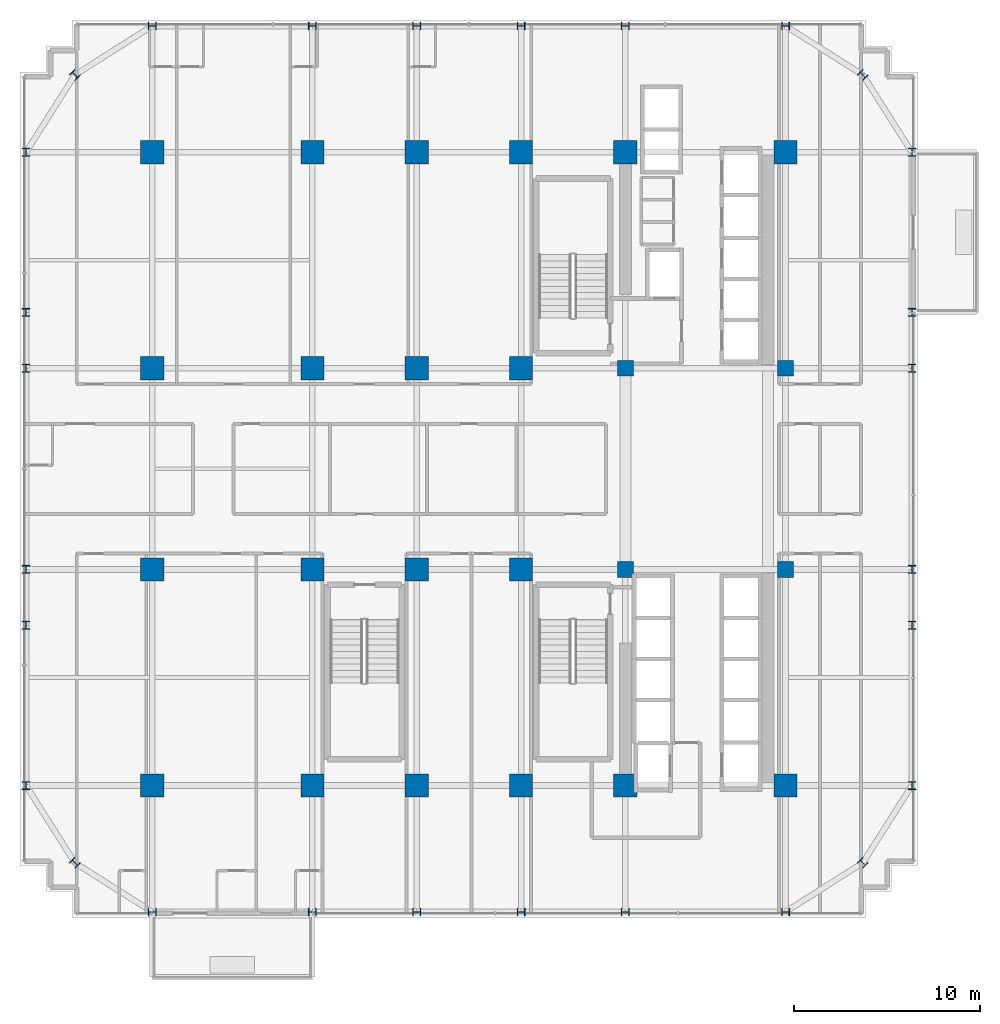
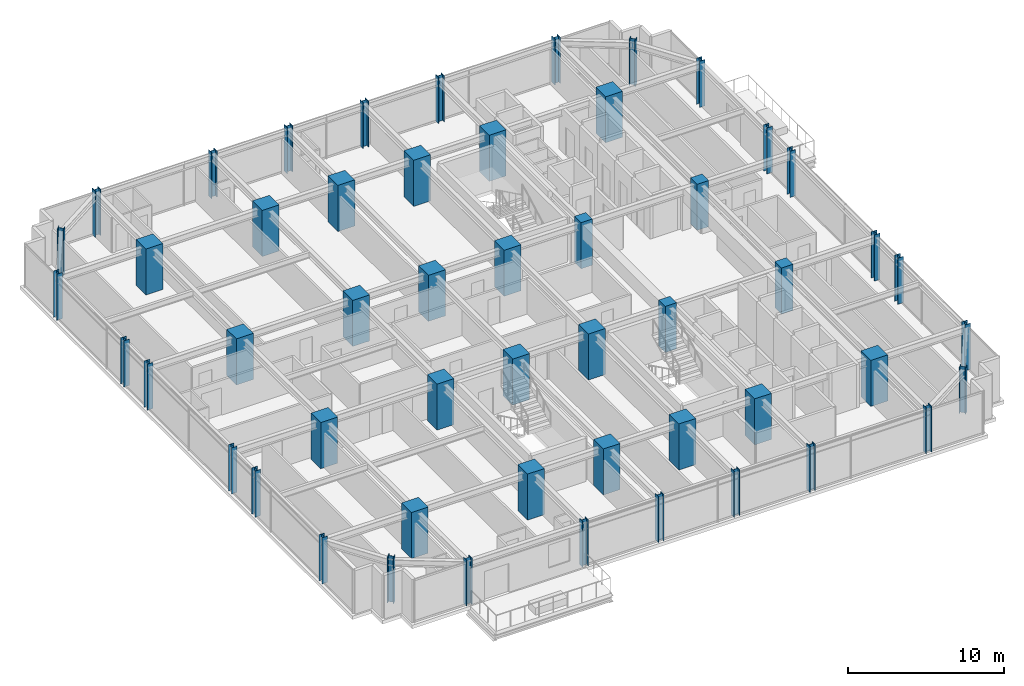
# One storey, part 1 of 33: 52 columns.
"""IFC4 building model written with IfcOpenShell, lengths in metres."""

from ifc_helpers import new_model, si_unit, direction, frame, origin, origin_2d, place, context, subcontext, project, spatial, rectangle, i_section, extrude, source, transform, mapped, material, material_profile, profile_set, type_object, element, save


model = new_model("IFC4")

# Units and contexts
model_context = context("Model", 3, precision=1e-05, world=origin(), true_north=direction((0.0, 1.0)))
body_context = subcontext(model_context, "Body", "Model", "MODEL_VIEW")
ifc_project = project(units=[si_unit("LENGTHUNIT", "METRE"), si_unit("AREAUNIT", "SQUARE_METRE"), si_unit("VOLUMEUNIT", "CUBIC_METRE"), si_unit("PLANEANGLEUNIT", "RADIAN"), si_unit("MASSUNIT", "GRAM", prefix="KILO")], contexts=[model_context])

# Site, building, storey
site_placement = place(None, origin())
site = spatial("IfcSite", under=ifc_project, at=site_placement, CompositionType="ELEMENT")
building_placement = place(site_placement, origin())
building = spatial("IfcBuilding", under=site, at=building_placement, Name="Nahalor Promenade Grand Hotel", CompositionType="ELEMENT")
storey_placement = place(building_placement, frame((0.0, 0.0, 132.10009765625)))
storey = spatial("IfcBuildingStorey", under=building, at=storey_placement, Name="L33", CompositionType="ELEMENT", Elevation=132.10009765625)

# Columns
ifc_material_1 = material(Name="Concrete B-70 (C60/75)", Category="concrete")
ifc_material_profile_1 = material_profile(ifc_material_1, rectangle(XDim=0.85, YDim=0.85, at=origin_2d()), Name="RC 850x850")
ifc_profile_set_1 = profile_set([ifc_material_profile_1], Name="Concrete B-70 (C60/75)")
column_type_1 = type_object("IfcColumnType", Name="Col-Pilaster-850", PredefinedType="PILASTER", material=ifc_profile_set_1)
shared_shape_1 = source(origin(), body_context, "Body", "SweptSolid", [
    extrude(rectangle(XDim=0.85, YDim=0.85, at=origin_2d()), origin(), (0.0, 0.0, 1.0), 3.60498046875),
])
for number, where, z_axis, x_axis, name in (
    (1, (8.39990234375, -5.39990234375, 0.0), (0.0, 0.0, 1.0), (1.0, 0.0, 0.0), "COL-L33-I41"),
    (2, (8.39990234375, 5.39990234375, 0.0), (0.0, 0.0, 1.0), (1.0, 0.0, 0.0), "COL-L33-I42"),
    (3, (17.0, -5.39990234375, 0.0), (0.0, 0.0, 1.0), (1.0, 0.0, 0.0), "COL-L33-I51"),
    (4, (17.0, 5.39990234375, 0.0), (0.0, 0.0, 1.0), (1.0, 0.0, 0.0), "COL-L33-I52"),
):
    element("IfcColumn", number, at=place(storey_placement, frame(where, z_axis=z_axis, x_axis=x_axis)), inside=storey, type_object=column_type_1, Name=name, PredefinedType="PILASTER", context=body_context, shape_type="MappedRepresentation", body=[
        mapped(shared_shape_1, transform((0.0, 0.0, 0.0), scale=1.0)),
    ])
ifc_material_2 = material(Name="Concrete B-60 (C50/60)", Category="concrete")
ifc_material_profile_2 = material_profile(ifc_material_2, rectangle(XDim=1.25, YDim=1.25, at=origin_2d()), Name="RC 1250x1250")
ifc_profile_set_2 = profile_set([ifc_material_profile_2], Name="Concrete B-60 (C50/60)")
column_type_2 = type_object("IfcColumnType", Name="Col-RC-1250", PredefinedType="COLUMN", material=ifc_profile_set_2)
shared_shape_2 = source(origin(), body_context, "Body", "SweptSolid", [
    extrude(rectangle(XDim=1.25, YDim=1.25, at=origin_2d()), origin(), (0.0, 0.0, 1.0), 3.60498046875),
])
for number, where, z_axis, x_axis, name in (
    (5, (-17.0, -17.0, 0.0), (0.0, 0.0, 1.0), (1.0, 0.0, 0.0), "COL-L33-I00"),
    (6, (-17.0, -5.39990234375, 0.0), (0.0, 0.0, 1.0), (1.0, 0.0, 0.0), "COL-L33-I01"),
    (7, (-17.0, 5.39990234375, 0.0), (0.0, 0.0, 1.0), (1.0, 0.0, 0.0), "COL-L33-I02"),
    (8, (-17.0, 17.0, 0.0), (0.0, 0.0, 1.0), (1.0, 0.0, 0.0), "COL-L33-I03"),
    (9, (-8.39990234375, -17.0, 0.0), (0.0, 0.0, 1.0), (1.0, 0.0, 0.0), "COL-L33-I10"),
    (10, (-8.39990234375, -5.39990234375, 0.0), (0.0, 0.0, 1.0), (1.0, 0.0, 0.0), "COL-L33-I11"),
    (11, (-8.39990234375, 5.39990234375, 0.0), (0.0, 0.0, 1.0), (1.0, 0.0, 0.0), "COL-L33-I12"),
    (12, (-8.39990234375, 17.0, 0.0), (0.0, 0.0, 1.0), (1.0, 0.0, 0.0), "COL-L33-I13"),
    (13, (-2.800048828125, -17.0, 0.0), (0.0, 0.0, 1.0), (1.0, 0.0, 0.0), "COL-L33-I20"),
    (14, (-2.800048828125, -5.39990234375, 0.0), (0.0, 0.0, 1.0), (1.0, 0.0, 0.0), "COL-L33-I21"),
    (15, (-2.800048828125, 5.39990234375, 0.0), (0.0, 0.0, 1.0), (1.0, 0.0, 0.0), "COL-L33-I22"),
    (16, (-2.800048828125, 17.0, 0.0), (0.0, 0.0, 1.0), (1.0, 0.0, 0.0), "COL-L33-I23"),
    (17, (2.800048828125, -17.0, 0.0), (0.0, 0.0, 1.0), (1.0, 0.0, 0.0), "COL-L33-I30"),
    (18, (2.800048828125, -5.39990234375, 0.0), (0.0, 0.0, 1.0), (1.0, 0.0, 0.0), "COL-L33-I31"),
    (19, (2.800048828125, 5.39990234375, 0.0), (0.0, 0.0, 1.0), (1.0, 0.0, 0.0), "COL-L33-I32"),
    (20, (2.800048828125, 17.0, 0.0), (0.0, 0.0, 1.0), (1.0, 0.0, 0.0), "COL-L33-I33"),
    (21, (8.39990234375, -17.0, 0.0), (0.0, 0.0, 1.0), (1.0, 0.0, 0.0), "COL-L33-I40"),
    (22, (8.39990234375, 17.0, 0.0), (0.0, 0.0, 1.0), (1.0, 0.0, 0.0), "COL-L33-I43"),
    (23, (17.0, -17.0, 0.0), (0.0, 0.0, 1.0), (1.0, 0.0, 0.0), "COL-L33-I50"),
    (24, (17.0, 17.0, 0.0), (0.0, 0.0, 1.0), (1.0, 0.0, 0.0), "COL-L33-I53"),
):
    element("IfcColumn", number, at=place(storey_placement, frame(where, z_axis=z_axis, x_axis=x_axis)), inside=storey, type_object=column_type_2, Name=name, PredefinedType="COLUMN", context=body_context, shape_type="MappedRepresentation", body=[
        mapped(shared_shape_2, transform((0.0, 0.0, 0.0), scale=1.0)),
    ])
ifc_material_3 = material(Name="Steel S355J2", Category="steel")
ifc_material_profile_3 = material_profile(ifc_material_3, i_section(OverallWidth=0.409, OverallDepth=0.43, WebThickness=0.0208, FlangeThickness=0.0335, at=origin_2d()), Name="HD 400x421")
ifc_profile_set_3 = profile_set([ifc_material_profile_3], Name="Steel S355J2")
column_type_3 = type_object("IfcColumnType", Name="Col-Steel-HD421", PredefinedType="COLUMN", material=ifc_profile_set_3)
shared_shape_3 = source(origin(), body_context, "Body", "SweptSolid", [
    extrude(i_section(OverallWidth=0.409, OverallDepth=0.43, WebThickness=0.0208, FlangeThickness=0.0335, at=origin_2d()), origin(), (0.0, 0.0, 1.0), 3.60498046875),
])
for number, where, z_axis, x_axis, name in (
    (25, (-23.780029296875, -17.0, 0.0), (0.0, 0.0, 1.0), (1.0, 0.0, 0.0), "COL-L33-PW-W0"),
    (26, (23.780029296875, -17.0, 0.0), (0.0, 0.0, 1.0), (1.0, 0.0, 0.0), "COL-L33-PW-E0"),
    (27, (-23.780029296875, -8.39990234375, 0.0), (0.0, 0.0, 1.0), (1.0, 0.0, 0.0), "COL-L33-PW-W1"),
    (28, (23.780029296875, -8.39990234375, 0.0), (0.0, 0.0, 1.0), (1.0, 0.0, 0.0), "COL-L33-PW-E1"),
    (29, (-23.780029296875, -5.39990234375, 0.0), (0.0, 0.0, 1.0), (1.0, 0.0, 0.0), "COL-L33-PW-W2"),
    (30, (23.780029296875, -5.39990234375, 0.0), (0.0, 0.0, 1.0), (1.0, 0.0, 0.0), "COL-L33-PW-E2"),
    (31, (-23.780029296875, 5.39990234375, 0.0), (0.0, 0.0, 1.0), (1.0, 0.0, 0.0), "COL-L33-PW-W3"),
    (32, (23.780029296875, 5.39990234375, 0.0), (0.0, 0.0, 1.0), (1.0, 0.0, 0.0), "COL-L33-PW-E3"),
    (33, (-23.780029296875, 8.39990234375, 0.0), (0.0, 0.0, 1.0), (1.0, 0.0, 0.0), "COL-L33-PW-W4"),
    (34, (23.780029296875, 8.39990234375, 0.0), (0.0, 0.0, 1.0), (1.0, 0.0, 0.0), "COL-L33-PW-E4"),
    (35, (-23.780029296875, 17.0, 0.0), (0.0, 0.0, 1.0), (1.0, 0.0, 0.0), "COL-L33-PW-W5"),
    (36, (23.780029296875, 17.0, 0.0), (0.0, 0.0, 1.0), (1.0, 0.0, 0.0), "COL-L33-PW-E5"),
    (37, (-17.0, -23.780029296875, 0.0), (0.0, 0.0, 1.0), (0.0, 1.0, 0.0), "COL-L33-PN-S0"),
    (38, (-17.0, 23.780029296875, 0.0), (0.0, 0.0, 1.0), (0.0, 1.0, 0.0), "COL-L33-PN-N0"),
    (39, (-8.39990234375, -23.780029296875, 0.0), (0.0, 0.0, 1.0), (0.0, 1.0, 0.0), "COL-L33-PN-S1"),
    (40, (-8.39990234375, 23.780029296875, 0.0), (0.0, 0.0, 1.0), (0.0, 1.0, 0.0), "COL-L33-PN-N1"),
    (41, (-2.800048828125, -23.780029296875, 0.0), (0.0, 0.0, 1.0), (0.0, 1.0, 0.0), "COL-L33-PN-S2"),
    (42, (-2.800048828125, 23.780029296875, 0.0), (0.0, 0.0, 1.0), (0.0, 1.0, 0.0), "COL-L33-PN-N2"),
    (43, (2.800048828125, -23.780029296875, 0.0), (0.0, 0.0, 1.0), (0.0, 1.0, 0.0), "COL-L33-PN-S3"),
    (44, (2.800048828125, 23.780029296875, 0.0), (0.0, 0.0, 1.0), (0.0, 1.0, 0.0), "COL-L33-PN-N3"),
    (45, (8.39990234375, -23.780029296875, 0.0), (0.0, 0.0, 1.0), (0.0, 1.0, 0.0), "COL-L33-PN-S4"),
    (46, (8.39990234375, 23.780029296875, 0.0), (0.0, 0.0, 1.0), (0.0, 1.0, 0.0), "COL-L33-PN-N4"),
    (47, (17.0, -23.780029296875, 0.0), (0.0, 0.0, 1.0), (0.0, 1.0, 0.0), "COL-L33-PN-S5"),
    (48, (17.0, 23.780029296875, 0.0), (0.0, 0.0, 1.0), (0.0, 1.0, 0.0), "COL-L33-PN-N5"),
    (49, (-21.14990234375, -21.14990234375, 0.0), (0.0, 0.0, 1.0), (0.707106781187, 0.707106781187, 0.0), "COL-L33-CRN-SW"),
    (50, (-21.14990234375, 21.14990234375, 0.0), (0.0, 0.0, 1.0), (0.707106781187, 0.707106781187, 0.0), "COL-L33-CRN-NW"),
    (51, (21.14990234375, -21.14990234375, 0.0), (0.0, 0.0, 1.0), (0.707106781187, 0.707106781187, 0.0), "COL-L33-CRN-SE"),
    (52, (21.14990234375, 21.14990234375, 0.0), (0.0, 0.0, 1.0), (0.707106781187, 0.707106781187, 0.0), "COL-L33-CRN-NE"),
):
    element("IfcColumn", number, at=place(storey_placement, frame(where, z_axis=z_axis, x_axis=x_axis)), inside=storey, type_object=column_type_3, Name=name, PredefinedType="COLUMN", context=body_context, shape_type="MappedRepresentation", body=[
        mapped(shared_shape_3, transform((0.0, 0.0, 0.0), scale=1.0)),
    ])

save(model, "model.ifc")
